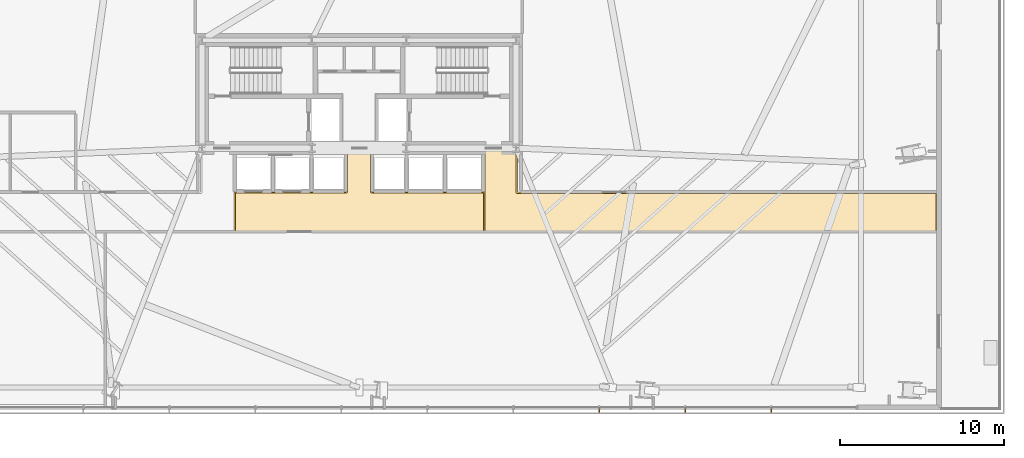
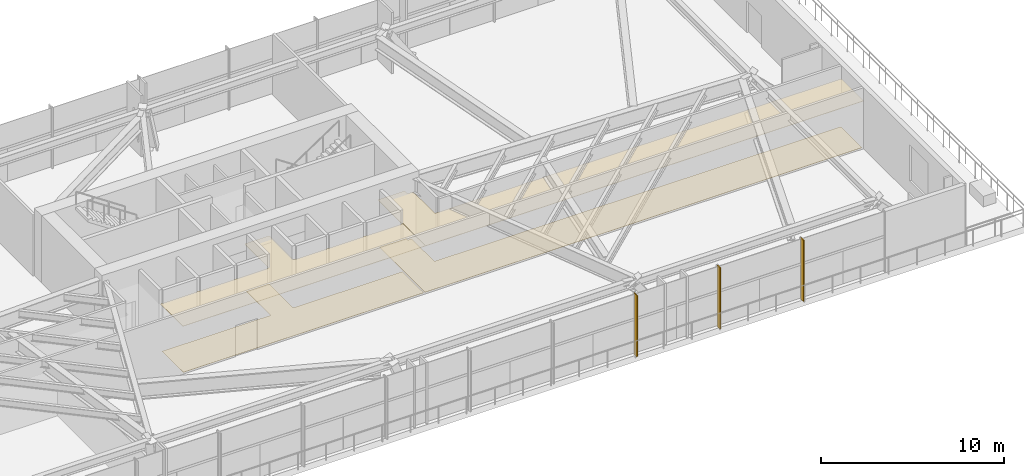
# One storey, part 26 of 30: 4 coverings, 3 shading devices.
"""IFC4 building model written with IfcOpenShell, lengths in metres."""

from ifc_helpers import new_model, si_unit, direction, frame, origin, origin_2d, place, context, subcontext, project, spatial, polyline, rectangle, outline, extrude, source, transform, mapped, material, layer, layer_set, type_object, type_shapes, element, save


model = new_model("IFC4")

# Units and contexts
model_context = context("Model", 3, precision=1e-05, world=origin(), true_north=direction((0.0, 1.0)))
body_context = subcontext(model_context, "Body", "Model", "MODEL_VIEW")
ifc_project = project(units=[si_unit("LENGTHUNIT", "METRE"), si_unit("AREAUNIT", "SQUARE_METRE"), si_unit("VOLUMEUNIT", "CUBIC_METRE"), si_unit("PLANEANGLEUNIT", "RADIAN"), si_unit("MASSUNIT", "GRAM", prefix="KILO")], contexts=[model_context])

# Site, building, storey
site_placement = place(None, origin())
site = spatial("IfcSite", under=ifc_project, at=site_placement, CompositionType="ELEMENT")
building_placement = place(site_placement, origin())
building = spatial("IfcBuilding", under=site, at=building_placement, Name="Astriad Promenade Condominiums", CompositionType="ELEMENT")
storey_placement = place(building_placement, frame((0.0, 0.0, 14.0)))
storey = spatial("IfcBuildingStorey", under=building, at=storey_placement, Name="L03", CompositionType="ELEMENT", Elevation=14.0)

# Coverings
ifc_material_1 = material(Name="Mineral-Fibre Acoustic Ceiling Tile")
ifc_layer_1 = layer(ifc_material_1, 0.02490234375)
ifc_layer_set_1 = layer_set([ifc_layer_1], Name="Mineral-Fibre Acoustic Ceiling Tile")
covering_type_1 = type_object("IfcCoveringType", Name="COV-CEIL-ACOUSTIC-25", PredefinedType="CEILING", material=ifc_layer_set_1)
covering_1_placement = place(storey_placement, frame((0.0, 0.0, 3.135009765625)))
element("IfcCovering", 1, at=covering_1_placement, inside=storey, type_object=covering_type_1, Name="CEIL-L03-LLB", PredefinedType="CEILING", context=body_context, shape_type="SweptSolid", body=[
    extrude(outline(polyline([(43.679931640625, 12.300048828125), (43.679931640625, 12.297119140625), (43.679443359375, 12.294189453125), (43.6787109375, 12.291259765625), (43.677734375, 12.28857421875), (43.676513671875, 12.285888671875), (43.6748046875, 12.283203125), (43.673095703125, 12.281005859375), (43.671142578125, 12.27880859375), (43.6689453125, 12.27685546875), (43.666748046875, 12.275146484375), (43.6640625, 12.2734375), (43.66162109375, 12.272216796875), (43.65869140625, 12.271240234375), (43.656005859375, 12.2705078125), (43.65283203125, 12.27001953125), (43.64990234375, 12.27001953125), (28.39990234375, 12.27001953125), (28.397216796875, 12.27001953125), (28.39404296875, 12.2705078125), (28.391357421875, 12.271240234375), (28.388427734375, 12.272216796875), (28.385986328125, 12.2734375), (28.38330078125, 12.275146484375), (28.381103515625, 12.27685546875), (28.37890625, 12.27880859375), (28.376708984375, 12.281005859375), (28.375, 12.283203125), (28.37353515625, 12.285888671875), (28.372314453125, 12.28857421875), (28.371337890625, 12.291259765625), (28.37060546875, 12.294189453125), (28.3701171875, 12.297119140625), (28.3701171875, 12.300048828125), (28.3701171875, 14.699951171875), (28.3701171875, 14.702880859375), (28.37060546875, 14.705810546875), (28.371337890625, 14.708740234375), (28.372314453125, 14.71142578125), (28.37353515625, 14.714111328125), (28.375, 14.716796875), (28.376708984375, 14.718994140625), (28.37890625, 14.72119140625), (28.381103515625, 14.72314453125), (28.38330078125, 14.724853515625), (28.385986328125, 14.7265625), (28.388427734375, 14.727783203125), (28.391357421875, 14.728759765625), (28.39404296875, 14.7294921875), (28.397216796875, 14.72998046875), (28.39990234375, 14.72998046875), (35.219970703125, 14.72998046875), (35.219970703125, 17.35009765625), (35.22021484375, 17.352783203125), (35.220703125, 17.35595703125), (35.22119140625, 17.358642578125), (35.222412109375, 17.361572265625), (35.223388671875, 17.364013671875), (35.22509765625, 17.36669921875), (35.226806640625, 17.368896484375), (35.228759765625, 17.37109375), (35.23095703125, 17.373291015625), (35.2333984375, 17.375), (35.23583984375, 17.37646484375), (35.238525390625, 17.377685546875), (35.2412109375, 17.378662109375), (35.244140625, 17.37939453125), (35.2470703125, 17.3798828125), (35.25, 17.3798828125), (36.75, 17.3798828125), (36.7529296875, 17.3798828125), (36.755859375, 17.37939453125), (36.7587890625, 17.378662109375), (36.761474609375, 17.377685546875), (36.76416015625, 17.37646484375), (36.7666015625, 17.375), (36.76904296875, 17.373291015625), (36.771240234375, 17.37109375), (36.773193359375, 17.368896484375), (36.77490234375, 17.36669921875), (36.776611328125, 17.364013671875), (36.777587890625, 17.361572265625), (36.77880859375, 17.358642578125), (36.779296875, 17.35595703125), (36.77978515625, 17.352783203125), (36.780029296875, 17.35009765625), (36.780029296875, 14.72998046875), (43.64990234375, 14.72998046875), (43.65283203125, 14.72998046875), (43.656005859375, 14.7294921875), (43.65869140625, 14.728759765625), (43.66162109375, 14.727783203125), (43.6640625, 14.7265625), (43.666748046875, 14.724853515625), (43.6689453125, 14.72314453125), (43.671142578125, 14.72119140625), (43.673095703125, 14.718994140625), (43.6748046875, 14.716796875), (43.676513671875, 14.714111328125), (43.677734375, 14.71142578125), (43.6787109375, 14.708740234375), (43.679443359375, 14.705810546875), (43.679931640625, 14.702880859375), (43.679931640625, 14.699951171875), (43.679931640625, 12.300048828125)])), origin(), (0.0, 0.0, 1.0), 0.02490234375),
])
covering_2_placement = place(storey_placement, frame((0.0, 0.0, 3.135009765625)))
element("IfcCovering", 2, at=covering_2_placement, inside=storey, type_object=covering_type_1, Name="CEIL-L03-COR-1", PredefinedType="CEILING", context=body_context, shape_type="SweptSolid", body=[
    extrude(outline(polyline([(43.6201171875, 17.35009765625), (43.6201171875, 17.352783203125), (43.62060546875, 17.35595703125), (43.621337890625, 17.358642578125), (43.622314453125, 17.361572265625), (43.62353515625, 17.364013671875), (43.625, 17.36669921875), (43.626708984375, 17.368896484375), (43.62890625, 17.37109375), (43.631103515625, 17.373291015625), (43.63330078125, 17.375), (43.635986328125, 17.37646484375), (43.638427734375, 17.377685546875), (43.641357421875, 17.378662109375), (43.64404296875, 17.37939453125), (43.647216796875, 17.3798828125), (43.64990234375, 17.3798828125), (45.31640625, 17.3798828125), (45.31640625, 17.077880859375), (45.679931640625, 17.077880859375), (45.679931640625, 14.7099609375), (71.300048828125, 14.7099609375), (71.302978515625, 14.7099609375), (71.305908203125, 14.70947265625), (71.30859375, 14.708740234375), (71.3115234375, 14.707763671875), (71.314208984375, 14.70654296875), (71.316650390625, 14.704833984375), (71.319091796875, 14.703125), (71.3212890625, 14.701171875), (71.3232421875, 14.698974609375), (71.324951171875, 14.69677734375), (71.326416015625, 14.694091796875), (71.32763671875, 14.69140625), (71.32861328125, 14.688720703125), (71.329345703125, 14.685791015625), (71.329833984375, 14.682861328125), (71.330078125, 14.679931640625), (71.330078125, 12.300048828125), (71.329833984375, 12.297119140625), (71.329345703125, 12.294189453125), (71.32861328125, 12.291259765625), (71.32763671875, 12.28857421875), (71.326416015625, 12.285888671875), (71.324951171875, 12.283203125), (71.3232421875, 12.281005859375), (71.3212890625, 12.27880859375), (71.319091796875, 12.27685546875), (71.316650390625, 12.275146484375), (71.314208984375, 12.2734375), (71.3115234375, 12.272216796875), (71.30859375, 12.271240234375), (71.305908203125, 12.2705078125), (71.302978515625, 12.27001953125), (71.300048828125, 12.27001953125), (43.68994140625, 12.27001953125), (43.69091796875, 12.271484375), (43.692138671875, 12.273193359375), (43.693603515625, 12.275634765625), (43.694580078125, 12.27734375), (43.69580078125, 12.280029296875), (43.696533203125, 12.28173828125), (43.697509765625, 12.28466796875), (43.697998046875, 12.286376953125), (43.69873046875, 12.289306640625), (43.69921875, 12.291259765625), (43.69970703125, 12.294189453125), (43.69970703125, 12.296142578125), (43.699951171875, 12.299072265625), (43.699951171875, 12.300048828125), (43.699951171875, 14.699951171875), (43.699951171875, 14.700927734375), (43.69970703125, 14.703857421875), (43.69970703125, 14.705810546875), (43.69921875, 14.708740234375), (43.69873046875, 14.710693359375), (43.697998046875, 14.713623046875), (43.697509765625, 14.71533203125), (43.696533203125, 14.71826171875), (43.69580078125, 14.719970703125), (43.694580078125, 14.72265625), (43.693603515625, 14.724365234375), (43.692138671875, 14.726806640625), (43.69091796875, 14.728515625), (43.689208984375, 14.73095703125), (43.68798828125, 14.732421875), (43.68603515625, 14.734619140625), (43.6845703125, 14.736083984375), (43.6826171875, 14.738037109375), (43.680908203125, 14.7392578125), (43.6787109375, 14.740966796875), (43.677001953125, 14.7421875), (43.67431640625, 14.74365234375), (43.672607421875, 14.744384765625), (43.669921875, 14.745849609375), (43.668212890625, 14.74658203125), (43.665283203125, 14.74755859375), (43.66357421875, 14.748046875), (43.66064453125, 14.748779296875), (43.65869140625, 14.749267578125), (43.656005859375, 14.74951171875), (43.65380859375, 14.749755859375), (43.65087890625, 14.75), (43.64990234375, 14.75), (43.6201171875, 14.75), (43.6201171875, 17.35009765625)])), origin(), (0.0, 0.0, 1.0), 0.02490234375),
])
ifc_material_2 = material(Name="Polished Lakefront Terrazzo Flooring")
ifc_layer_2 = layer(ifc_material_2, 0.02001953125)
ifc_layer_set_2 = layer_set([ifc_layer_2], Name="Polished Lakefront Terrazzo Flooring")
covering_type_2 = type_object("IfcCoveringType", Name="COV-FLOR-TERRAZZO-20", PredefinedType="FLOORING", material=ifc_layer_set_2)
covering_3_placement = place(storey_placement, origin())
element("IfcCovering", 3, at=covering_3_placement, inside=storey, type_object=covering_type_2, Name="FLR-L03-LLB", PredefinedType="FLOORING", context=body_context, shape_type="SweptSolid", body=[
    extrude(outline(polyline([(43.610107421875, 14.659912109375), (43.610107421875, 12.340087890625), (28.43994140625, 12.340087890625), (28.43994140625, 14.659912109375), (35.25, 14.659912109375), (35.25390625, 14.66015625), (35.2578125, 14.660888671875), (35.26171875, 14.66162109375), (35.265380859375, 14.6630859375), (35.268798828125, 14.664794921875), (35.272216796875, 14.666748046875), (35.275390625, 14.669189453125), (35.2783203125, 14.671630859375), (35.281005859375, 14.674560546875), (35.283203125, 14.677734375), (35.285400390625, 14.68115234375), (35.287109375, 14.684814453125), (35.288330078125, 14.6884765625), (35.289306640625, 14.692138671875), (35.289794921875, 14.696044921875), (35.2900390625, 14.699951171875), (35.2900390625, 17.31005859375), (36.7099609375, 17.31005859375), (36.7099609375, 14.699951171875), (36.710205078125, 14.696044921875), (36.710693359375, 14.692138671875), (36.711669921875, 14.6884765625), (36.712890625, 14.684814453125), (36.714599609375, 14.68115234375), (36.716796875, 14.677734375), (36.718994140625, 14.674560546875), (36.7216796875, 14.671630859375), (36.724609375, 14.669189453125), (36.727783203125, 14.666748046875), (36.731201171875, 14.664794921875), (36.734619140625, 14.6630859375), (36.73828125, 14.66162109375), (36.7421875, 14.660888671875), (36.74609375, 14.66015625), (36.75, 14.659912109375), (43.610107421875, 14.659912109375)])), origin(), (0.0, 0.0, 1.0), 0.02001953125),
])
covering_4_placement = place(storey_placement, origin())
element("IfcCovering", 4, at=covering_4_placement, inside=storey, type_object=covering_type_2, Name="FLR-L03-COR-1", PredefinedType="FLOORING", context=body_context, shape_type="SweptSolid", body=[
    extrude(outline(polyline([(43.68994140625, 12.340087890625), (43.68994140625, 17.31005859375), (45.3564453125, 17.31005859375), (45.3564453125, 17.117919921875), (45.610107421875, 17.117919921875), (45.610107421875, 14.679931640625), (45.610107421875, 14.676025390625), (45.61083984375, 14.672119140625), (45.61181640625, 14.66845703125), (45.613037109375, 14.664794921875), (45.61474609375, 14.6611328125), (45.61669921875, 14.65771484375), (45.619140625, 14.654541015625), (45.62158203125, 14.651611328125), (45.62451171875, 14.649169921875), (45.627685546875, 14.646728515625), (45.631103515625, 14.644775390625), (45.634765625, 14.64306640625), (45.638427734375, 14.6416015625), (45.64208984375, 14.640869140625), (45.64599609375, 14.64013671875), (45.64990234375, 14.639892578125), (71.260009765625, 14.639892578125), (71.260009765625, 12.340087890625), (43.68994140625, 12.340087890625)])), origin(), (0.0, 0.0, 1.0), 0.02001953125),
])

# Shading devices
ifc_material_3 = material(Name="Anodised aluminium 6063-T6 Black Fin", Category="aluminium")
shading_device_type = type_object("IfcShadingDeviceType", Name="FIN-BLACK-320", PredefinedType="USERDEFINED", material=ifc_material_3)
shared_shape = source(origin(), body_context, "Body", "SweptSolid", [
    extrude(rectangle(XDim=0.06494140625, YDim=0.320068359375, at=origin_2d()), origin(), (0.0, 0.0, 1.0), 4.080078125),
])
type_shapes(shading_device_type, [shared_shape])
for number, where, z_axis, x_axis, name in (
    (5, (61.195556640625, 1.409912109375, 0.0), (0.0, 0.0, 1.0), (-1.0, 0.0, 0.0), "CW-L03-S-FIN-01"),
    (6, (55.94091796875, 1.409912109375, 0.0), (0.0, 0.0, 1.0), (-1.0, 0.0, 0.0), "CW-L03-S-FIN-02"),
    (7, (50.686279296875, 1.409912109375, 0.0), (0.0, 0.0, 1.0), (-1.0, 0.0, 0.0), "CW-L03-S-FIN-03"),
):
    element("IfcShadingDevice", number, at=place(storey_placement, frame(where, z_axis=z_axis, x_axis=x_axis)), inside=storey, type_object=shading_device_type, Name=name, ObjectType="FIN", PredefinedType="USERDEFINED", context=body_context, shape_type="MappedRepresentation", body=[
        mapped(shared_shape, transform((0.0, 0.0, 0.0), scale=1.0)),
    ])

save(model, "model.ifc")
